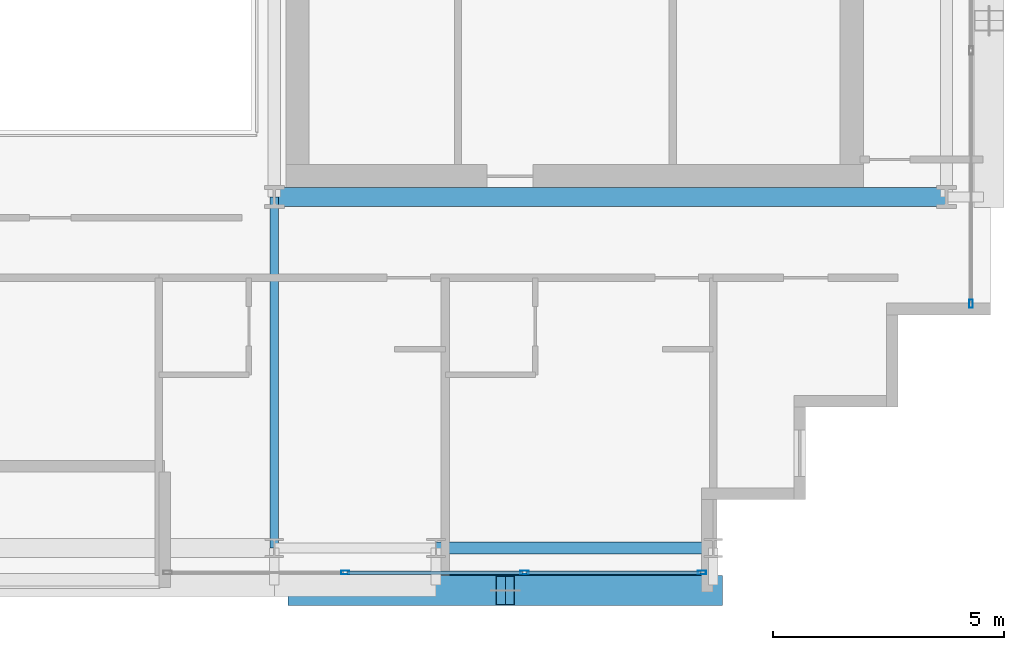
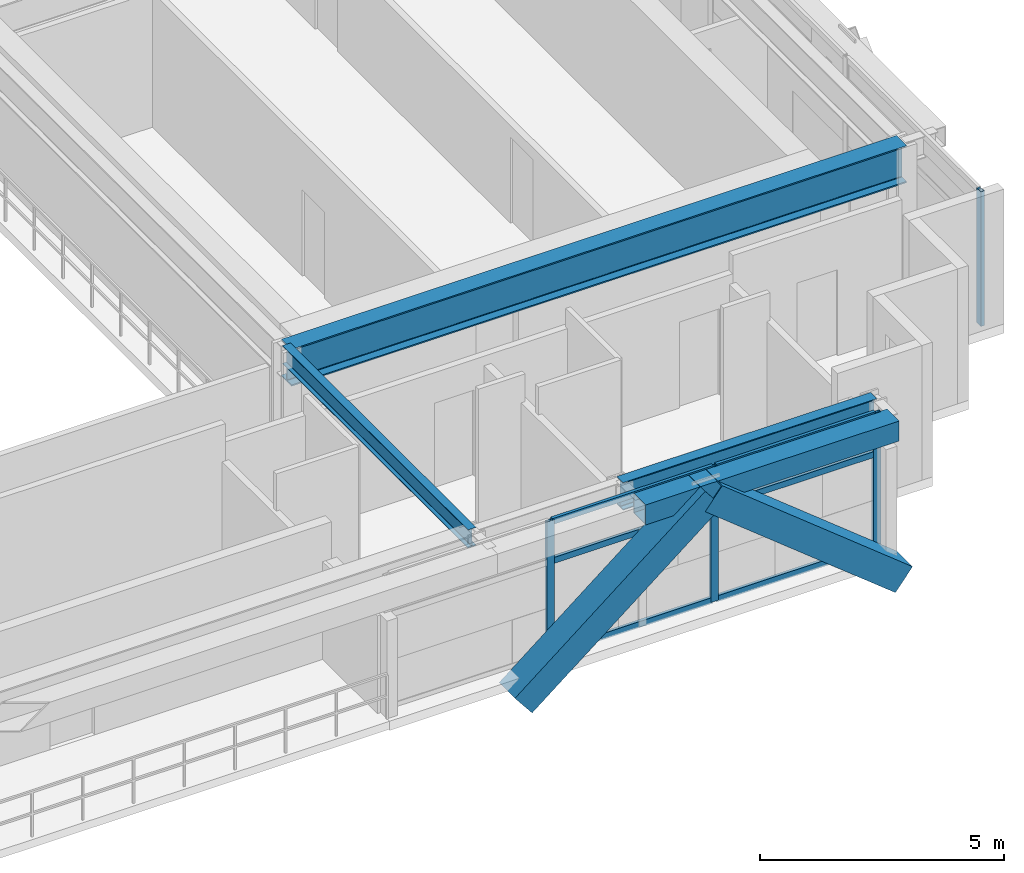
# One storey, part 10 of 31: 12 members, 4 beams, 2 elements without a shape of their own.
"""IFC4 building model written with IfcOpenShell, lengths in metres."""

import ifcopenshell
import ifcopenshell.guid

model = None  # the IFC model being written
_history = None  # IfcOwnerHistory: only IFC2X3 demands one
_inside = {}  # id of a spatial element -> (the spatial element, [elements in it])
_under = {}  # id of a project, library or spatial element -> (it, [spatial elements below it])
_declared = {}  # id of a project -> (the project, [libraries it declares])
_typed = {}  # id of a type object -> (the type object, [elements of that type])
_made_of = {}  # id of a material, layer set ... -> (it, [elements and type objects made of it])


def new_model(schema):
    """Start an empty IFC model of exactly this schema.

    Asked for "IFC4X3", IfcOpenShell would pick the latest addendum, in which some entities
    have other attributes; the version numbers below select the first issue.
    IFC2X3 requires an IfcOwnerHistory on every rooted entity: one is made here for all.
    """
    global model, _history
    if schema == "IFC4X3":
        model = ifcopenshell.file(schema_version=(4, 3, 0, 0))
    else:
        model = ifcopenshell.file(schema=schema)
    _inside.clear()
    _under.clear()
    _declared.clear()
    _typed.clear()
    _made_of.clear()
    _history = None
    if model.schema == "IFC2X3":
        org = make("IfcOrganization", Name="unknown")
        user = make(
            "IfcPersonAndOrganization",
            ThePerson=make("IfcPerson", FamilyName="unknown"),
            TheOrganization=org,
        )
        app = make(
            "IfcApplication",
            ApplicationDeveloper=org,
            Version="unknown",
            ApplicationFullName="unknown",
            ApplicationIdentifier="unknown",
        )
        _history = make(
            "IfcOwnerHistory",
            OwningUser=user,
            OwningApplication=app,
            ChangeAction="ADDED",
            CreationDate=0,
        )
    return model


def make(cls, **values):
    """One entity of the class cls with the attributes given. An attribute that is None is left unset."""
    return model.create_entity(
        cls, **{name: value for name, value in values.items() if value is not None}
    )


def rooted(cls, **values):
    """An entity with a GlobalId (a new one), such as an element, a storey or a relation."""
    return make(cls, GlobalId=ifcopenshell.guid.new(), OwnerHistory=_history, **values)


def si_unit(unit_type, name, prefix=None):
    """IfcSIUnit, for example si_unit("LENGTHUNIT", "METRE", prefix="MILLI")."""
    return make("IfcSIUnit", UnitType=unit_type, Prefix=prefix, Name=name)


def assignment(units):
    """IfcUnitAssignment: the units of a project."""
    return None if units is None else make("IfcUnitAssignment", Units=units)


def point(xyz):
    """IfcCartesianPoint."""
    return None if xyz is None else make("IfcCartesianPoint", Coordinates=xyz)


def direction(xyz):
    """IfcDirection."""
    return None if xyz is None else make("IfcDirection", DirectionRatios=xyz)


def frame(location, z_axis=None, x_axis=None):
    """IfcAxis2Placement3D, a coordinate frame: its origin and axes. An axis left out is left unset."""
    return make(
        "IfcAxis2Placement3D",
        Location=point(location),
        Axis=direction(z_axis),
        RefDirection=direction(x_axis),
    )


def frame_2d(location, x_axis=None):
    """IfcAxis2Placement2D, a coordinate frame in the plane: its origin and x axis."""
    return make(
        "IfcAxis2Placement2D", Location=point(location), RefDirection=direction(x_axis)
    )


def origin():
    """The frame at (0, 0, 0) with its axes left unset."""
    return frame((0.0, 0.0, 0.0))


def origin_2d():
    """The frame at (0, 0) in the plane with its x axis left unset."""
    return frame_2d((0.0, 0.0))


def place(relative_to, where):
    """IfcLocalPlacement: puts the frame where relative to a parent placement (None: the world)."""
    return make(
        "IfcLocalPlacement", PlacementRelTo=relative_to, RelativePlacement=where
    )


def context(
    kind, dimensions, precision=None, world=None, true_north=None, identifier=None
):
    """IfcGeometricRepresentationContext, for example the 3D "Model" context."""
    return make(
        "IfcGeometricRepresentationContext",
        ContextIdentifier=identifier,
        ContextType=kind,
        CoordinateSpaceDimension=dimensions,
        Precision=precision,
        WorldCoordinateSystem=world,
        TrueNorth=true_north,
    )


def subcontext(parent, identifier, kind, view, scale=None):
    """IfcGeometricRepresentationSubContext, for example "Body" below "Model"."""
    return make(
        "IfcGeometricRepresentationSubContext",
        ContextIdentifier=identifier,
        ContextType=kind,
        ParentContext=parent,
        TargetScale=scale,
        TargetView=view,
    )


def project(units=None, contexts=None):
    """IfcProject with its units and contexts."""
    return rooted(
        "IfcProject",
        Name="project",
        RepresentationContexts=contexts,
        UnitsInContext=assignment(units),
    )


def spatial(cls, under=None, at=None, **own):
    """A site, building, storey or space (cls), placed at a placement, below another one or the project."""
    s = rooted(cls, ObjectPlacement=at, **own)
    if under is not None:
        _under.setdefault(under.id(), (under, []))[1].append(s)
    return s


def profile(cls, at=None, kind="AREA", **sizes):
    """A parametric profile (cls). Its sizes go by their IFC names, for example OverallWidth=200.0."""
    return make(cls, ProfileType=kind, Position=at, **sizes)


def hollow_rectangle(**sizes):
    """IfcRectangleHollowProfileDef."""
    return profile("IfcRectangleHollowProfileDef", **sizes)


def i_section(**sizes):
    """IfcIShapeProfileDef."""
    return profile("IfcIShapeProfileDef", **sizes)


def extrude(swept, where, along, depth):
    """IfcExtrudedAreaSolid: the profile swept, set in the frame where, extruded along a direction by depth."""
    return make(
        "IfcExtrudedAreaSolid",
        SweptArea=swept,
        Position=where,
        ExtrudedDirection=direction(along),
        Depth=depth,
    )


def shape(context_of_items, identifier, shape_type, items):
    """IfcShapeRepresentation: the items that make up one representation, for example the "Body"."""
    return make(
        "IfcShapeRepresentation",
        ContextOfItems=context_of_items,
        RepresentationIdentifier=identifier,
        RepresentationType=shape_type,
        Items=items,
    )


def source(mapping_origin, context_of_items, identifier, shape_type, items):
    """IfcRepresentationMap: a shape defined once, which mapped items show again and again."""
    return make(
        "IfcRepresentationMap",
        MappingOrigin=mapping_origin,
        MappedRepresentation=shape(context_of_items, identifier, shape_type, items),
    )


def transform(
    local_origin,
    x_axis=None,
    y_axis=None,
    z_axis=None,
    scale=None,
    scale2=None,
    scale3=None,
    uniform=True,
):
    """IfcCartesianTransformationOperator3D, or its non-uniform kind. x_axis, y_axis, z_axis: its Axis1, 2, 3."""
    if uniform:
        return make(
            "IfcCartesianTransformationOperator3D",
            Axis1=direction(x_axis),
            Axis2=direction(y_axis),
            LocalOrigin=point(local_origin),
            Scale=scale,
            Axis3=direction(z_axis),
        )
    return make(
        "IfcCartesianTransformationOperator3DnonUniform",
        Axis1=direction(x_axis),
        Axis2=direction(y_axis),
        LocalOrigin=point(local_origin),
        Scale=scale,
        Axis3=direction(z_axis),
        Scale2=scale2,
        Scale3=scale3,
    )


def mapped(mapping_source, mapping_target):
    """IfcMappedItem: shows the shape of a source again, moved by a transform."""
    return make(
        "IfcMappedItem", MappingSource=mapping_source, MappingTarget=mapping_target
    )


def material(Name=None, Category=None):
    """IfcMaterial."""
    return make("IfcMaterial", Name=Name, Category=Category)


def layer(
    of_material, thickness, ventilated=None, Name=None, Category=None, Priority=None
):
    """IfcMaterialLayer: one layer of a wall or slab, of a material (None: an air gap)."""
    return make(
        "IfcMaterialLayer",
        Material=of_material,
        LayerThickness=thickness,
        IsVentilated=ventilated,
        Name=Name,
        Category=Category,
        Priority=Priority,
    )


def layer_set(layers, Name=None):
    """IfcMaterialLayerSet."""
    return make("IfcMaterialLayerSet", MaterialLayers=layers, LayerSetName=Name)


def material_profile(
    of_material, cross_section, Name=None, Category=None, Priority=None
):
    """IfcMaterialProfile: a cross section and its material."""
    return make(
        "IfcMaterialProfile",
        Name=Name,
        Material=of_material,
        Profile=cross_section,
        Priority=Priority,
        Category=Category,
    )


def profile_set(profiles, Name=None, composite=None):
    """IfcMaterialProfileSet."""
    return make(
        "IfcMaterialProfileSet",
        Name=Name,
        MaterialProfiles=profiles,
        CompositeProfile=composite,
    )


def made_of(thing, what):
    """Note that an element or type object is made of a material, layer set ...; save() writes the relation."""
    if what is not None:
        _made_of.setdefault(what.id(), (what, []))[1].append(thing)
    return thing


def type_object(cls, material=None, **own):
    """A type object (cls), such as IfcWallType, which elements share."""
    return made_of(rooted(cls, **own), material)


def element(
    cls,
    number,
    at=None,
    inside=None,
    cuts=None,
    type_object=None,
    material=None,
    context=None,
    identifier="Body",
    shape_type=None,
    held_by="IfcProductDefinitionShape",
    body=None,
    shapes=None,
    **own,
):
    """One element of the class cls, such as IfcWall. Its Tag is "e" and its number.

    at: its placement. inside: the storey or other place that contains it. cuts: it is an
    opening in that element (IfcRelVoidsElement). A single representation is given by context,
    identifier, shape_type and body (its items); several are given by shapes. held_by: the class
    of the entity that holds the representations. save() writes the other relations.
    """
    e = rooted(cls, Tag="e%d" % number, ObjectPlacement=at, **own)
    if body is not None:
        shapes = [shape(context, identifier, shape_type, body)]
    if shapes is not None:
        e.Representation = make(held_by, Representations=shapes)
    if inside is not None:
        _inside.setdefault(inside.id(), (inside, []))[1].append(e)
    if cuts is not None:
        rooted(
            "IfcRelVoidsElement", RelatingBuildingElement=cuts, RelatedOpeningElement=e
        )
    if type_object is not None:
        _typed.setdefault(type_object.id(), (type_object, []))[1].append(e)
    return made_of(e, material)


def aggregate(whole, parts):
    """IfcRelAggregates: a whole, such as a stair, and the parts it consists of."""
    return rooted("IfcRelAggregates", RelatingObject=whole, RelatedObjects=parts)


def save(model, path):
    """Write the relations noted so far, then the file.

    IfcRelAggregates (storeys below a building ...), IfcRelContainedInSpatialStructure (elements
    in a storey), IfcRelDefinesByType, IfcRelAssociatesMaterial and IfcRelDeclares: one each for
    every whole, place, type object, material and project.
    """
    for whole, parts in _under.values():
        aggregate(whole, parts)
    for where, things in _inside.values():
        rooted(
            "IfcRelContainedInSpatialStructure",
            RelatedElements=things,
            RelatingStructure=where,
        )
    for kind, things in _typed.values():
        rooted("IfcRelDefinesByType", RelatedObjects=things, RelatingType=kind)
    for what, things in _made_of.values():
        rooted("IfcRelAssociatesMaterial", RelatedObjects=things, RelatingMaterial=what)
    for by, libraries in _declared.values():
        rooted("IfcRelDeclares", RelatingContext=by, RelatedDefinitions=libraries)
    model.write(path)


model = new_model("IFC4")

# Units and contexts
model_context = context("Model", 3, precision=1e-05, world=origin(), true_north=direction((0.0, 1.0)))
body_context = subcontext(model_context, "Body", "Model", "MODEL_VIEW")
ifc_project = project(units=[si_unit("LENGTHUNIT", "METRE"), si_unit("AREAUNIT", "SQUARE_METRE"), si_unit("VOLUMEUNIT", "CUBIC_METRE"), si_unit("PLANEANGLEUNIT", "RADIAN"), si_unit("MASSUNIT", "GRAM", prefix="KILO")], contexts=[model_context])

# Site, building, storey
site_placement = place(None, origin())
site = spatial("IfcSite", under=ifc_project, at=site_placement, CompositionType="ELEMENT")
building_placement = place(site_placement, origin())
building = spatial("IfcBuilding", under=site, at=building_placement, Name="Ocotamira Hotel", CompositionType="ELEMENT")
storey_placement = place(building_placement, frame((0.0, 0.0, 181.199951171875)))
storey = spatial("IfcBuildingStorey", under=building, at=storey_placement, Name="L45", CompositionType="ELEMENT", Elevation=181.199951171875)

# Beams
ifc_material_1 = material(Name="Steel ASTM A992 Grade 50", Category="steel")
ifc_material_profile_1 = material_profile(ifc_material_1, i_section(OverallWidth=0.41796875, OverallDepth=0.927001953125, WebThickness=0.019287109375, FlangeThickness=0.031982421875, FilletRadius=0.02392578125, at=origin_2d()), Name="W36X231")
ifc_profile_set_1 = profile_set([ifc_material_profile_1], Name="Steel ASTM A992 Grade 50")
beam_type_1 = type_object("IfcBeamType", Name="BM-GIRD-W36X231", PredefinedType="BEAM", material=ifc_profile_set_1)
shared_shape_1 = source(origin(), body_context, "Body", "SweptSolid", [
    extrude(i_section(OverallWidth=0.41796875, OverallDepth=0.927001953125, WebThickness=0.019287109375, FlangeThickness=0.031982421875, FilletRadius=0.02392578125, at=origin_2d()), origin(), (0.0, 0.0, 1.0), 14.550048828125),
])
beam_1_placement = place(storey_placement, frame((40.5, 14.550048828125, 2.906494140625), z_axis=(1.0, 0.0, 0.0), x_axis=(0.0, 1.0, 0.0)))
element("IfcBeam", 1, at=beam_1_placement, inside=storey, type_object=beam_type_1, Name="L45 Girder Y14.55 X40.5-55.05", PredefinedType="BEAM", context=body_context, shape_type="MappedRepresentation", body=[
    mapped(shared_shape_1, transform((0.0, 0.0, 0.0), scale=1.0)),
])
ifc_material_profile_2 = material_profile(ifc_material_1, i_section(OverallWidth=0.256103515625, OverallDepth=0.693115234375, WebThickness=0.014404296875, FlangeThickness=0.023681640625, FilletRadius=0.01611328125, at=origin_2d()), Name="W27X114")
ifc_profile_set_2 = profile_set([ifc_material_profile_2], Name="Steel ASTM A992 Grade 50")
beam_type_2 = type_object("IfcBeamType", Name="BM-PRIM-W27X114", PredefinedType="BEAM", material=ifc_profile_set_2)
shared_shape_2 = source(origin(), body_context, "Body", "SweptSolid", [
    extrude(i_section(OverallWidth=0.256103515625, OverallDepth=0.693115234375, WebThickness=0.014404296875, FlangeThickness=0.023681640625, FilletRadius=0.01611328125, at=origin_2d()), origin(), (0.0, 0.0, 1.0), 6.0),
])
beam_2_placement = place(storey_placement, frame((44.0, 6.949951171875, 3.0234375), z_axis=(1.0, 0.0, 0.0), x_axis=(0.0, 1.0, 0.0)))
element("IfcBeam", 2, at=beam_2_placement, inside=storey, type_object=beam_type_2, Name="L45 Girder Y6.95 X44-50", PredefinedType="BEAM", context=body_context, shape_type="MappedRepresentation", body=[
    mapped(shared_shape_2, transform((0.0, 0.0, 0.0), scale=1.0)),
])
ifc_material_2 = material(Name="Steel ASTM A500 Grade C", Category="steel")
ifc_material_profile_3 = material_profile(ifc_material_2, hollow_rectangle(XDim=0.5, YDim=0.5, WallThickness=0.02001953125, at=origin_2d()), Name="HSS500X500X20")
ifc_profile_set_3 = profile_set([ifc_material_profile_3], Name="Steel ASTM A500 Grade C")
beam_type_3 = type_object("IfcBeamType", Name="BM-SPAN-HSS500", PredefinedType="USERDEFINED", material=ifc_profile_set_3)
shared_shape_3 = source(origin(), body_context, "Body", "SweptSolid", [
    extrude(hollow_rectangle(XDim=0.5, YDim=0.5, WallThickness=0.02001953125, at=origin_2d()), origin(), (0.0, 0.0, 1.0), 6.0),
])
beam_3_placement = place(storey_placement, frame((44.0, 6.14990234375, 3.1201171875), z_axis=(1.0, 0.0, 0.0), x_axis=(0.0, 1.0, 0.0)))
element("IfcBeam", 3, at=beam_3_placement, inside=storey, type_object=beam_type_3, Name="L45 Edge Spandrel S X44-50", ObjectType="SPANDREL", PredefinedType="USERDEFINED", context=body_context, shape_type="MappedRepresentation", body=[
    mapped(shared_shape_3, transform((0.0, 0.0, 0.0), scale=1.0)),
])
ifc_material_profile_4 = material_profile(ifc_material_1, i_section(OverallWidth=0.18994140625, OverallDepth=0.45703125, WebThickness=0.009033203125, FlangeThickness=0.014404296875, FilletRadius=0.010009765625, at=origin_2d()), Name="W18X50")
ifc_profile_set_4 = profile_set([ifc_material_profile_4], Name="Steel ASTM A992 Grade 50")
beam_type_4 = type_object("IfcBeamType", Name="BM-SEC-W18X50", PredefinedType="JOIST", material=ifc_profile_set_4)
shared_shape_4 = source(origin(), body_context, "Body", "SweptSolid", [
    extrude(i_section(OverallWidth=0.18994140625, OverallDepth=0.45703125, WebThickness=0.009033203125, FlangeThickness=0.014404296875, FilletRadius=0.010009765625, at=origin_2d()), origin(), (0.0, 0.0, 1.0), 7.60009765625),
])
beam_4_placement = place(storey_placement, frame((40.5, 6.949951171875, 3.1416015625), z_axis=(0.0, 1.0, 0.0), x_axis=(-1.0, 0.0, 0.0)))
element("IfcBeam", 4, at=beam_4_placement, inside=storey, type_object=beam_type_4, Name="L45 Beam X40.5 Y6.95-14.55", PredefinedType="JOIST", context=body_context, shape_type="MappedRepresentation", body=[
    mapped(shared_shape_4, transform((0.0, 0.0, 0.0), scale=1.0)),
])

# Members
ifc_material_3 = material(Name="Pale-metal coated steel ASTM A913 Grade 65", Category="steel")
ifc_material_profile_5 = material_profile(ifc_material_3, hollow_rectangle(XDim=0.64990234375, YDim=0.64990234375, WallThickness=0.02197265625, at=origin_2d()), Name="BOX650X650X22")
ifc_profile_set_5 = profile_set([ifc_material_profile_5], Name="Pale-metal coated steel ASTM A913 Grade 65")
member_type_1 = type_object("IfcMemberType", Name="MEM-EXO-BOX650", PredefinedType="BRACE", material=ifc_profile_set_5)
shared_shape_5 = source(origin(), body_context, "Body", "SweptSolid", [
    extrude(hollow_rectangle(XDim=0.64990234375, YDim=0.64990234375, WallThickness=0.02197265625, at=origin_2d()), origin(), (0.0, 0.0, 1.0), 5.762939453125),
])
for number, where, z_axis, x_axis, name in (
    (5, (41.0, 6.030029296875, -0.47998046875), (0.780860543151, 0.0, 0.624705380279), (0.0, 1.0, 0.0), "L45 Exoskeleton Diagrid S3.1"),
    (6, (50.0, 6.030029296875, -0.47998046875), (-0.780860543151, 0.0, 0.624705380279), (0.0, -1.0, 0.0), "L45 Exoskeleton Diagrid S3.2"),
):
    element("IfcMember", number, at=place(storey_placement, frame(where, z_axis=z_axis, x_axis=x_axis)), inside=storey, type_object=member_type_1, Name=name, PredefinedType="BRACE", context=body_context, shape_type="MappedRepresentation", body=[
        mapped(shared_shape_5, transform((0.0, 0.0, 0.0), scale=1.0)),
    ])

# Curtain wall, members
ifc_material_4 = material(Name="Anodised pale-metal aluminium and solar glass", Category="aluminium")
ifc_layer = layer(ifc_material_4, 0.199951171875)
ifc_layer_set = layer_set([ifc_layer], Name="Anodised pale-metal aluminium and solar glass")
curtain_wall_type = type_object("IfcCurtainWallType", Name="CW-SYS4-Z3", PredefinedType="NOTDEFINED", material=ifc_layer_set)
curtain_wall_1_placement = place(storey_placement, origin())
curtain_wall_1 = element("IfcCurtainWall", 7, at=curtain_wall_1_placement, inside=storey, type_object=curtain_wall_type, Name="L45 Curtain Wall CW-4 CW-L45-S2", PredefinedType="NOTDEFINED")
ifc_material_5 = material(Name="Anodised pale-metal aluminium 6063-T6", Category="aluminium")
ifc_material_profile_6 = material_profile(ifc_material_5, hollow_rectangle(XDim=0.080078125, YDim=0.179931640625, WallThickness=0.006103515625, at=origin_2d()), Name="HSS180X80X6")
ifc_profile_set_6 = profile_set([ifc_material_profile_6], Name="Anodised pale-metal aluminium 6063-T6")
member_type_2 = type_object("IfcMemberType", Name="CWM-180X75", PredefinedType="MULLION", material=ifc_profile_set_6)
shared_shape_6 = source(origin(), body_context, "Body", "SweptSolid", [
    extrude(hollow_rectangle(XDim=0.080078125, YDim=0.179931640625, WallThickness=0.006103515625, at=origin_2d()), origin(), (0.0, 0.0, 1.0), 3.3701171875),
])
member_1_placement = place(storey_placement, frame((42.033447265625, 6.419921875, 0.0), z_axis=(0.0, 0.0, 1.0), x_axis=(0.0, 1.0, 0.0)))
member_1 = element("IfcMember", 8, at=member_1_placement, type_object=member_type_2, Name="CW-4 mullion 2", PredefinedType="MULLION", context=body_context, shape_type="MappedRepresentation", body=[
    mapped(shared_shape_6, transform((0.0, 0.0, 0.0), scale=1.0)),
])
member_2_placement = place(storey_placement, frame((45.916748046875, 6.419921875, 0.0), z_axis=(0.0, 0.0, 1.0), x_axis=(0.0, 1.0, 0.0)))
member_2 = element("IfcMember", 9, at=member_2_placement, type_object=member_type_2, Name="CW-4 mullion 3", PredefinedType="MULLION", context=body_context, shape_type="MappedRepresentation", body=[
    mapped(shared_shape_6, transform((0.0, 0.0, 0.0), scale=1.0)),
])
member_3_placement = place(storey_placement, frame((49.760009765625, 6.419921875, 0.0), z_axis=(0.0, 0.0, 1.0), x_axis=(0.0, 1.0, 0.0)))
member_3 = element("IfcMember", 10, at=member_3_placement, type_object=member_type_2, Name="CW-4 mullion 4", PredefinedType="MULLION", context=body_context, shape_type="MappedRepresentation", body=[
    mapped(shared_shape_6, transform((0.0, 0.0, 0.0), scale=1.0)),
])

# Curtain wall, member
curtain_wall_2_placement = place(storey_placement, origin())
curtain_wall_2 = element("IfcCurtainWall", 11, at=curtain_wall_2_placement, inside=storey, type_object=curtain_wall_type, Name="L45 Curtain Wall CW-4 CW-L45-E", PredefinedType="NOTDEFINED")
member_4_placement = place(storey_placement, frame((55.580078125, 12.239990234375, 0.0), z_axis=(0.0, 0.0, 1.0), x_axis=(-1.0, 0.0, 0.0)))
member_4 = element("IfcMember", 12, at=member_4_placement, type_object=member_type_2, Name="CW-4 mullion 1", PredefinedType="MULLION", context=body_context, shape_type="MappedRepresentation", body=[
    mapped(shared_shape_6, transform((0.0, 0.0, 0.0), scale=1.0)),
])
aggregate(curtain_wall_2, [member_4])

# Member
ifc_material_profile_7 = material_profile(ifc_material_5, hollow_rectangle(XDim=0.074951171875, YDim=0.14990234375, WallThickness=0.006103515625, at=origin_2d()), Name="HSS150X75X6")
ifc_profile_set_7 = profile_set([ifc_material_profile_7], Name="Anodised pale-metal aluminium 6063-T6")
member_type_3 = type_object("IfcMemberType", Name="CWT-150X75", PredefinedType="USERDEFINED", material=ifc_profile_set_7)
shared_shape_7 = source(origin(), body_context, "Body", "SweptSolid", [
    extrude(hollow_rectangle(XDim=0.074951171875, YDim=0.14990234375, WallThickness=0.006103515625, at=origin_2d()), origin(), (0.0, 0.0, 1.0), 3.76318359375),
])
member_5_placement = place(storey_placement, frame((45.956787109375, 6.419921875, 0.03759765625), z_axis=(1.0, 0.0, 0.0), x_axis=(0.0, 1.0, 0.0)))
member_5 = element("IfcMember", 13, at=member_5_placement, type_object=member_type_3, Name="CW-4 transom 3.1", ObjectType="TRANSOM", PredefinedType="USERDEFINED", context=body_context, shape_type="MappedRepresentation", body=[
    mapped(shared_shape_7, transform((0.0, 0.0, 0.0), scale=1.0)),
])

member_6_placement = place(storey_placement, frame((45.956787109375, 6.419921875, 2.35009765625), z_axis=(1.0, 0.0, 0.0), x_axis=(0.0, 1.0, 0.0)))
member_6 = element("IfcMember", 14, at=member_6_placement, type_object=member_type_3, Name="CW-4 transom 3.2", ObjectType="TRANSOM", PredefinedType="USERDEFINED", context=body_context, shape_type="MappedRepresentation", body=[
    mapped(shared_shape_7, transform((0.0, 0.0, 0.0), scale=1.0)),
])

member_7_placement = place(storey_placement, frame((45.956787109375, 6.419921875, 3.33251953125), z_axis=(1.0, 0.0, 0.0), x_axis=(0.0, 1.0, 0.0)))
member_7 = element("IfcMember", 15, at=member_7_placement, type_object=member_type_3, Name="CW-4 transom 3.3", ObjectType="TRANSOM", PredefinedType="USERDEFINED", context=body_context, shape_type="MappedRepresentation", body=[
    mapped(shared_shape_7, transform((0.0, 0.0, 0.0), scale=1.0)),
])

shared_shape_8 = source(origin(), body_context, "Body", "SweptSolid", [
    extrude(hollow_rectangle(XDim=0.074951171875, YDim=0.14990234375, WallThickness=0.006103515625, at=origin_2d()), origin(), (0.0, 0.0, 1.0), 3.803466796875),
])
member_8_placement = place(storey_placement, frame((42.0732421875, 6.419921875, 0.03759765625), z_axis=(1.0, 0.0, 0.0), x_axis=(0.0, 1.0, 0.0)))
member_8 = element("IfcMember", 16, at=member_8_placement, type_object=member_type_3, Name="CW-4 transom 2.1", ObjectType="TRANSOM", PredefinedType="USERDEFINED", context=body_context, shape_type="MappedRepresentation", body=[
    mapped(shared_shape_8, transform((0.0, 0.0, 0.0), scale=1.0)),
])

member_9_placement = place(storey_placement, frame((42.0732421875, 6.419921875, 2.35009765625), z_axis=(1.0, 0.0, 0.0), x_axis=(0.0, 1.0, 0.0)))
member_9 = element("IfcMember", 17, at=member_9_placement, type_object=member_type_3, Name="CW-4 transom 2.2", ObjectType="TRANSOM", PredefinedType="USERDEFINED", context=body_context, shape_type="MappedRepresentation", body=[
    mapped(shared_shape_8, transform((0.0, 0.0, 0.0), scale=1.0)),
])

member_10_placement = place(storey_placement, frame((42.0732421875, 6.419921875, 3.33251953125), z_axis=(1.0, 0.0, 0.0), x_axis=(0.0, 1.0, 0.0)))
member_10 = element("IfcMember", 18, at=member_10_placement, type_object=member_type_3, Name="CW-4 transom 2.3", ObjectType="TRANSOM", PredefinedType="USERDEFINED", context=body_context, shape_type="MappedRepresentation", body=[
    mapped(shared_shape_8, transform((0.0, 0.0, 0.0), scale=1.0)),
])

aggregate(curtain_wall_1, [member_1, member_2, member_3, member_8, member_9, member_10, member_5, member_6, member_7])

save(model, "model.ifc")
